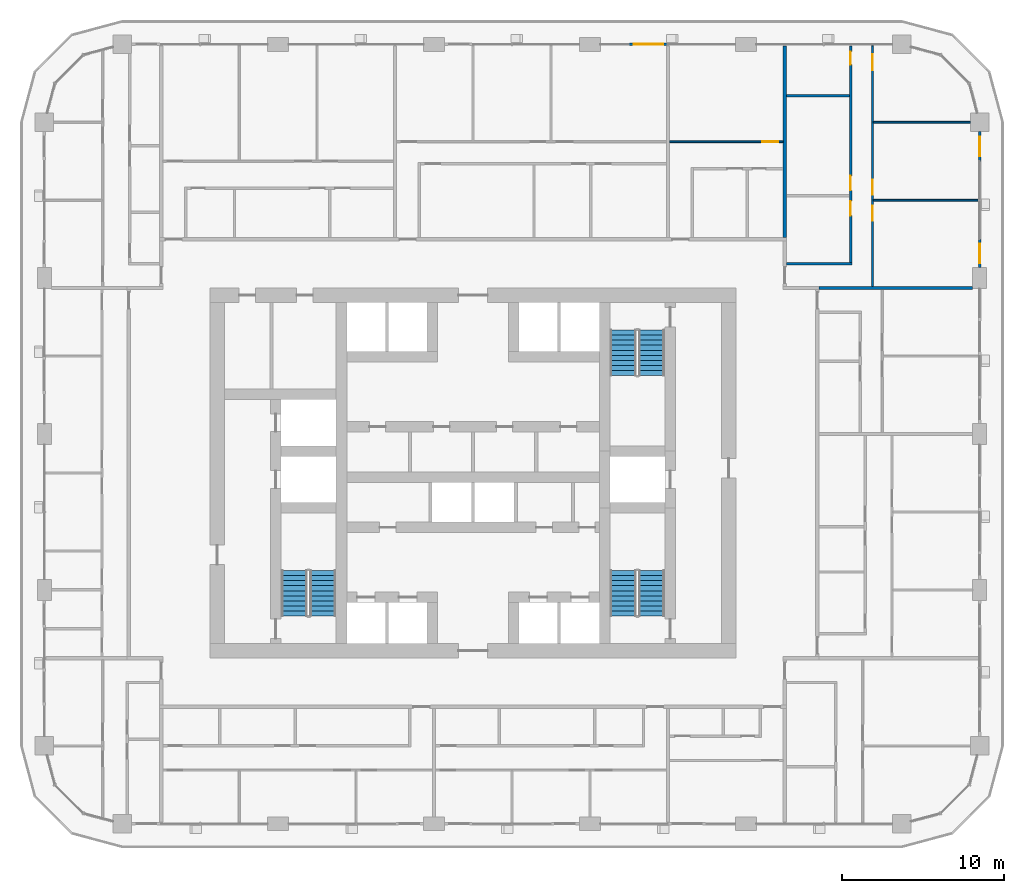
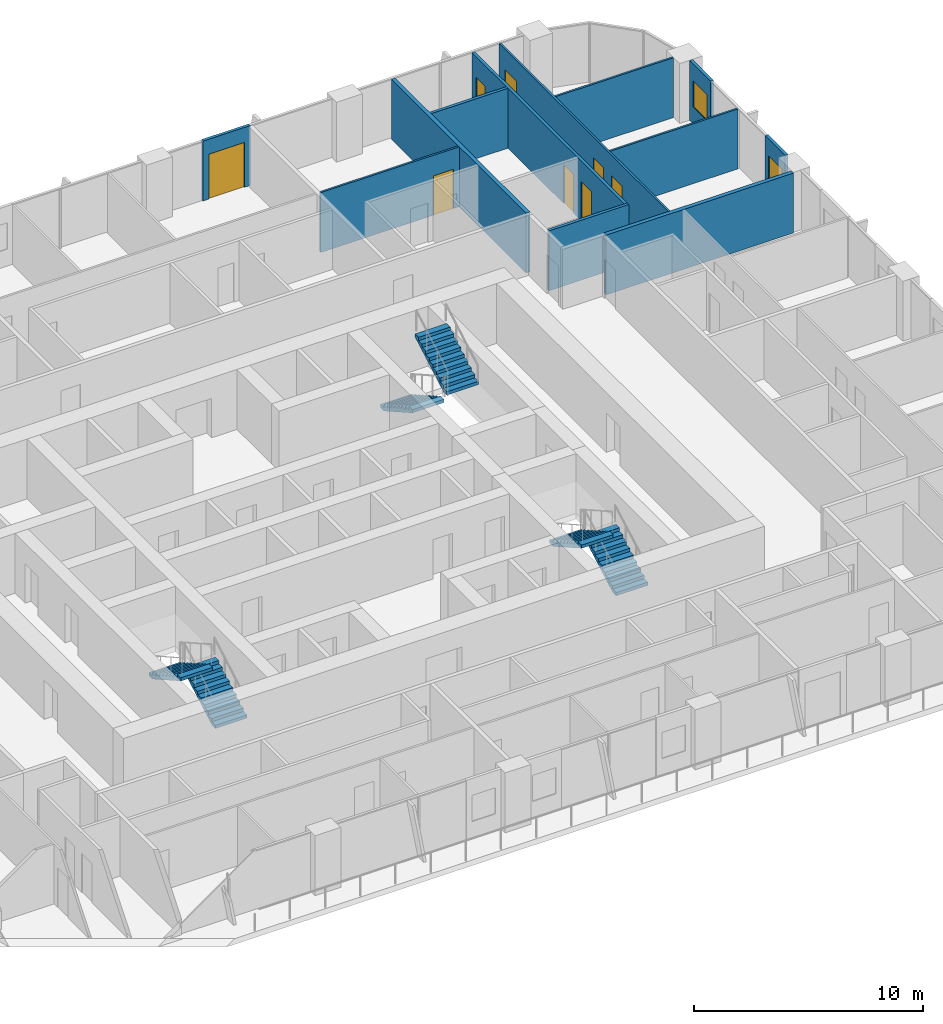
# One storey, part 15 of 21: 12 walls, 8 doors, 6 stair flights, 2 windows, 10 openings, 3 elements without a shape of their own.
"""IFC4 building model written with IfcOpenShell, lengths in metres."""

from ifc_helpers import new_model, si_unit, direction, frame, frame_2d, origin, place, context, subcontext, project, spatial, polyline, rectangle, outline, extrude, material, layer, layer_set, type_object, element, fill, aggregate, save


model = new_model("IFC4")

# Units and contexts
model_context = context("Model", 3, precision=1e-05, world=origin(), true_north=direction((0.0, 1.0)))
body_context = subcontext(model_context, "Body", "Model", "MODEL_VIEW")
ifc_project = project(units=[si_unit("LENGTHUNIT", "METRE"), si_unit("AREAUNIT", "SQUARE_METRE"), si_unit("VOLUMEUNIT", "CUBIC_METRE"), si_unit("PLANEANGLEUNIT", "RADIAN"), si_unit("MASSUNIT", "GRAM", prefix="KILO")], contexts=[model_context])

# Site, building, storey
site_placement = place(None, origin())
site = spatial("IfcSite", under=ifc_project, at=site_placement, CompositionType="ELEMENT")
building_placement = place(site_placement, origin())
building = spatial("IfcBuilding", under=site, at=building_placement, Name="Madar Terraces", CompositionType="ELEMENT")
storey_placement = place(building_placement, frame((0.0, 0.0, 92.699951171875)))
storey = spatial("IfcBuildingStorey", under=building, at=storey_placement, Name="L23", CompositionType="ELEMENT", Elevation=92.699951171875)

# Wall, opening, window
ifc_material_1 = material(Name="Aluminium composite panel, black, over insulated backing", Category="aluminium")
ifc_layer_1 = layer(ifc_material_1, 0.14990234375)
ifc_layer_set_1 = layer_set([ifc_layer_1], Name="Facade bay panel 150")
wall_type_1 = type_object("IfcWallType", Name="Facade bay panel 150", PredefinedType="SOLIDWALL", material=ifc_layer_set_1)
wall_1_placement = place(storey_placement, frame((62.39990234375, 39.050048828125, 0.0), z_axis=(0.0, 0.0, 1.0), x_axis=(0.0, 1.0, 0.0)))
wall_1 = element("IfcWall", 1, at=wall_1_placement, inside=storey, type_object=wall_type_1, Name="Facade bay panel", PredefinedType="SOLIDWALL", context=body_context, shape_type="SweptSolid", body=[
    extrude(rectangle(XDim=1.75, YDim=0.14990234375, at=frame_2d((0.875, 0.0))), origin(), (0.0, 0.0, 1.0), 3.199951171875),
])
opening_1_placement = place(wall_1_placement, frame((0.27490234375, 0.0, 0.89990234375)))
opening_1 = element("IfcOpeningElement", 2, at=opening_1_placement, cuts=wall_1, Name="Opening W1", PredefinedType="OPENING", context=body_context, shape_type="SweptSolid", body=[
    extrude(rectangle(XDim=1.199951171875, YDim=1.39990234375, at=frame_2d((0.60009765625, 0.699951171875))), frame((0.0, 0.0849609375, 0.0), z_axis=(0.0, -1.0, 0.0), x_axis=(1.0, 0.0, 0.0)), (0.0, 0.0, 1.0), 0.169921875),
])
ifc_material_2 = material(Name="Glass, clear, with black aluminium frame", Category="aluminium")
window_type = type_object("IfcWindowType", Name="Vent window 1200 x 1400", PartitioningType="SINGLE_PANEL", PredefinedType="WINDOW", material=ifc_material_2)
window_1_placement = place(opening_1_placement, origin())
window_1 = element("IfcWindow", 3, at=window_1_placement, inside=storey, type_object=window_type, Name="Operable vent window", OverallHeight=1.39990234375, OverallWidth=1.199951171875, PartitioningType="SINGLE_PANEL", PredefinedType="WINDOW", context=body_context, shape_type="SweptSolid", body=[
    extrude(rectangle(XDim=1.199951171875, YDim=1.39990234375, at=frame_2d((0.60009765625, 0.699951171875))), frame((0.0, 0.030029296875, 0.0), z_axis=(0.0, -1.0, 0.0), x_axis=(1.0, 0.0, 0.0)), (0.0, 0.0, 1.0), 0.06005859375),
])
fill(opening_1, window_1)

wall_2_placement = place(storey_placement, frame((62.39990234375, 45.60009765625, 0.0), z_axis=(0.0, 0.0, 1.0), x_axis=(0.0, 1.0, 0.0)))
wall_2 = element("IfcWall", 4, at=wall_2_placement, inside=storey, type_object=wall_type_1, Name="Facade bay panel", PredefinedType="SOLIDWALL", context=body_context, shape_type="SweptSolid", body=[
    extrude(rectangle(XDim=1.824951171875, YDim=0.14990234375, at=frame_2d((0.91259765625, 0.0))), origin(), (0.0, 0.0, 1.0), 3.199951171875),
])
opening_2_placement = place(wall_2_placement, frame((0.3125, 0.0, 0.89990234375)))
opening_2 = element("IfcOpeningElement", 5, at=opening_2_placement, cuts=wall_2, Name="Opening W1", PredefinedType="OPENING", context=body_context, shape_type="SweptSolid", body=[
    extrude(rectangle(XDim=1.199951171875, YDim=1.39990234375, at=frame_2d((0.60009765625, 0.699951171875))), frame((0.0, 0.0849609375, 0.0), z_axis=(0.0, -1.0, 0.0), x_axis=(1.0, 0.0, 0.0)), (0.0, 0.0, 1.0), 0.169921875),
])
window_2_placement = place(opening_2_placement, origin())
window_2 = element("IfcWindow", 6, at=window_2_placement, inside=storey, type_object=window_type, Name="Operable vent window", OverallHeight=1.39990234375, OverallWidth=1.199951171875, PartitioningType="SINGLE_PANEL", PredefinedType="WINDOW", context=body_context, shape_type="SweptSolid", body=[
    extrude(rectangle(XDim=1.199951171875, YDim=1.39990234375, at=frame_2d((0.60009765625, 0.699951171875))), frame((0.0, 0.030029296875, 0.0), z_axis=(0.0, -1.0, 0.0), x_axis=(1.0, 0.0, 0.0)), (0.0, 0.0, 1.0), 0.06005859375),
])
fill(opening_2, window_2)

# Wall, opening, door
wall_3_placement = place(storey_placement, frame((43.199951171875, 52.800048828125, 0.0), z_axis=(0.0, 0.0, 1.0), x_axis=(-1.0, 0.0, 0.0)))
wall_3 = element("IfcWall", 7, at=wall_3_placement, inside=storey, type_object=wall_type_1, Name="Facade bay panel", PredefinedType="SOLIDWALL", context=body_context, shape_type="SweptSolid", body=[
    extrude(rectangle(XDim=2.39990234375, YDim=0.14990234375, at=frame_2d((1.199951171875, 0.0))), origin(), (0.0, 0.0, 1.0), 3.199951171875),
])
opening_3_placement = place(wall_3_placement, frame((0.300048828125, 0.0, 0.0)))
opening_3 = element("IfcOpeningElement", 8, at=opening_3_placement, cuts=wall_3, Name="Opening ED1", PredefinedType="OPENING", context=body_context, shape_type="SweptSolid", body=[
    extrude(rectangle(XDim=1.800048828125, YDim=2.39990234375, at=frame_2d((0.89990234375, 1.199951171875))), frame((0.0, 0.0849609375, 0.0), z_axis=(0.0, -1.0, 0.0), x_axis=(1.0, 0.0, 0.0)), (0.0, 0.0, 1.0), 0.169921875),
])
ifc_material_3 = material(Name="Glass, clear, with black aluminium frame", Category="aluminium")
door_type_1 = type_object("IfcDoorType", Name="Balcony and terrace sliding door 1800 x 2400", OperationType="SLIDING_TO_LEFT", PredefinedType="DOOR", material=ifc_material_3)
door_1_placement = place(opening_3_placement, origin())
door_1 = element("IfcDoor", 9, at=door_1_placement, inside=storey, type_object=door_type_1, Name="Balcony door", OperationType="SLIDING_TO_RIGHT", OverallHeight=2.39990234375, OverallWidth=1.800048828125, PredefinedType="DOOR", context=body_context, shape_type="SweptSolid", body=[
    extrude(rectangle(XDim=1.800048828125, YDim=2.39990234375, at=frame_2d((0.89990234375, 1.199951171875))), frame((0.0, 0.02490234375, 0.0), z_axis=(0.0, -1.0, 0.0), x_axis=(1.0, 0.0, 0.0)), (0.0, 0.0, 1.0), 0.050048828125),
])
fill(opening_3, door_1)

# Walls
ifc_material_4 = material(Name="Gypsum board on steel studs", Category="steel")
ifc_layer_2 = layer(ifc_material_4, 0.10009765625)
ifc_layer_set_2 = layer_set([ifc_layer_2], Name="Flat partition 100")
wall_type_2 = type_object("IfcWallType", Name="Flat partition 100", PredefinedType="PARTITIONING", material=ifc_layer_set_2)
wall_4_placement = place(storey_placement, frame((55.85009765625, 43.199951171875, 0.0), z_axis=(0.0, 0.0, 1.0), x_axis=(1.0, 0.0, 0.0)))
element("IfcWall", 10, at=wall_4_placement, inside=storey, type_object=wall_type_2, Name="Flat partition 100", PredefinedType="PARTITIONING", context=body_context, shape_type="SweptSolid", body=[
    extrude(rectangle(XDim=6.449951171875, YDim=0.10009765625, at=frame_2d((3.22509765625, 0.0))), origin(), (0.0, 0.0, 1.0), 3.199951171875),
])
wall_5_placement = place(storey_placement, frame((55.85009765625, 48.0, 0.0), z_axis=(0.0, 0.0, 1.0), x_axis=(1.0, 0.0, 0.0)))
element("IfcWall", 11, at=wall_5_placement, inside=storey, type_object=wall_type_2, Name="Flat partition 100", PredefinedType="PARTITIONING", context=body_context, shape_type="SweptSolid", body=[
    extrude(rectangle(XDim=5.974853515625, YDim=0.10009765625, at=frame_2d((2.9873046875, 0.0))), origin(), (0.0, 0.0, 1.0), 3.199951171875),
])

# Wall, openings, doors
wall_6_placement = place(storey_placement, frame((55.800048828125, 52.699951171875, 0.0), z_axis=(0.0, 0.0, 1.0), x_axis=(0.0, -1.0, 0.0)))
wall_6 = element("IfcWall", 12, at=wall_6_placement, inside=storey, type_object=wall_type_2, Name="Flat partition 100", PredefinedType="PARTITIONING", context=body_context, shape_type="SweptSolid", body=[
    extrude(rectangle(XDim=14.800048828125, YDim=0.10009765625, at=frame_2d((7.39990234375, 0.0))), origin(), (0.0, 0.0, 1.0), 3.199951171875),
])
opening_4_placement = place(wall_6_placement, frame((9.85009765625, 0.0, 0.0)))
opening_4 = element("IfcOpeningElement", 13, at=opening_4_placement, cuts=wall_6, Name="Opening D2", PredefinedType="OPENING", context=body_context, shape_type="SweptSolid", body=[
    extrude(rectangle(XDim=0.89990234375, YDim=2.10009765625, at=frame_2d((0.449951171875, 1.050048828125))), frame((0.0, 0.06005859375, 0.0), z_axis=(0.0, -1.0, 0.0), x_axis=(1.0, 0.0, 0.0)), (0.0, 0.0, 1.0), 0.1201171875),
])
opening_5_placement = place(wall_6_placement, frame((8.25, 0.0, 0.0)))
opening_5 = element("IfcOpeningElement", 14, at=opening_5_placement, cuts=wall_6, Name="Opening D2", PredefinedType="OPENING", context=body_context, shape_type="SweptSolid", body=[
    extrude(rectangle(XDim=0.89990234375, YDim=2.10009765625, at=frame_2d((0.449951171875, 1.050048828125))), frame((0.0, 0.06005859375, 0.0), z_axis=(0.0, -1.0, 0.0), x_axis=(1.0, 0.0, 0.0)), (0.0, 0.0, 1.0), 0.1201171875),
])
opening_6_placement = place(wall_6_placement, frame((0.5, 0.0, 0.0)))
opening_6 = element("IfcOpeningElement", 15, at=opening_6_placement, cuts=wall_6, Name="Opening D3", PredefinedType="OPENING", context=body_context, shape_type="SweptSolid", body=[
    extrude(rectangle(XDim=1.0, YDim=2.10009765625, at=frame_2d((0.5, 1.050048828125))), frame((0.0, 0.06005859375, 0.0), z_axis=(0.0, -1.0, 0.0), x_axis=(1.0, 0.0, 0.0)), (0.0, 0.0, 1.0), 0.1201171875),
])
ifc_material_5 = material(Name="Timber door leaf", Category="wood")
door_type_2 = type_object("IfcDoorType", Name="Flat living room door 1000", OperationType="NOTDEFINED", PredefinedType="DOOR", material=ifc_material_5)
door_2_placement = place(opening_6_placement, origin())
door_2 = element("IfcDoor", 16, at=door_2_placement, inside=storey, type_object=door_type_2, Name="Flat living room door 1000", OperationType="SINGLE_SWING_LEFT", OverallHeight=2.10009765625, OverallWidth=1.0, PredefinedType="DOOR", context=body_context, shape_type="SweptSolid", body=[
    extrude(rectangle(XDim=1.0, YDim=2.10009765625, at=frame_2d((0.5, 1.050048828125))), frame((0.0, 0.02490234375, 0.0), z_axis=(0.0, -1.0, 0.0), x_axis=(1.0, 0.0, 0.0)), (0.0, 0.0, 1.0), 0.050048828125),
])
fill(opening_6, door_2)
ifc_material_6 = material(Name="Timber door leaf", Category="wood")
door_type_3 = type_object("IfcDoorType", Name="Flat room door 900", OperationType="NOTDEFINED", PredefinedType="DOOR", material=ifc_material_6)
door_3_placement = place(opening_4_placement, origin())
door_3 = element("IfcDoor", 17, at=door_3_placement, inside=storey, type_object=door_type_3, Name="Flat room door 900", OperationType="SINGLE_SWING_LEFT", OverallHeight=2.10009765625, OverallWidth=0.89990234375, PredefinedType="DOOR", context=body_context, shape_type="SweptSolid", body=[
    extrude(rectangle(XDim=0.89990234375, YDim=2.10009765625, at=frame_2d((0.449951171875, 1.050048828125))), frame((0.0, 0.02490234375, 0.0), z_axis=(0.0, -1.0, 0.0), x_axis=(1.0, 0.0, 0.0)), (0.0, 0.0, 1.0), 0.050048828125),
])
fill(opening_4, door_3)
door_4_placement = place(opening_5_placement, origin())
door_4 = element("IfcDoor", 18, at=door_4_placement, inside=storey, type_object=door_type_3, Name="Flat room door 900", OperationType="SINGLE_SWING_RIGHT", OverallHeight=2.10009765625, OverallWidth=0.89990234375, PredefinedType="DOOR", context=body_context, shape_type="SweptSolid", body=[
    extrude(rectangle(XDim=0.89990234375, YDim=2.10009765625, at=frame_2d((0.449951171875, 1.050048828125))), frame((0.0, 0.02490234375, 0.0), z_axis=(0.0, -1.0, 0.0), x_axis=(1.0, 0.0, 0.0)), (0.0, 0.0, 1.0), 0.050048828125),
])
fill(opening_5, door_4)

# Wall, opening, door
wall_7_placement = place(storey_placement, frame((43.300048828125, 46.800048828125, 0.0), z_axis=(0.0, 0.0, 1.0), x_axis=(1.0, 0.0, 0.0)))
wall_7 = element("IfcWall", 19, at=wall_7_placement, inside=storey, type_object=wall_type_2, Name="Flat partition 100", PredefinedType="PARTITIONING", context=body_context, shape_type="SweptSolid", body=[
    extrude(rectangle(XDim=7.0, YDim=0.10009765625, at=frame_2d((3.5, 0.0))), origin(), (0.0, 0.0, 1.0), 3.199951171875),
])
opening_7_placement = place(wall_7_placement, frame((5.699951171875, 0.0, 0.0)))
opening_7 = element("IfcOpeningElement", 20, at=opening_7_placement, cuts=wall_7, Name="Opening D3", PredefinedType="OPENING", context=body_context, shape_type="SweptSolid", body=[
    extrude(rectangle(XDim=1.0, YDim=2.10009765625, at=frame_2d((0.5, 1.050048828125))), frame((0.0, 0.06005859375, 0.0), z_axis=(0.0, -1.0, 0.0), x_axis=(1.0, 0.0, 0.0)), (0.0, 0.0, 1.0), 0.1201171875),
])
door_5_placement = place(opening_7_placement, origin())
door_5 = element("IfcDoor", 21, at=door_5_placement, inside=storey, type_object=door_type_2, Name="Flat living room door 1000", OperationType="SINGLE_SWING_RIGHT", OverallHeight=2.10009765625, OverallWidth=1.0, PredefinedType="DOOR", context=body_context, shape_type="SweptSolid", body=[
    extrude(rectangle(XDim=1.0, YDim=2.10009765625, at=frame_2d((0.5, 1.050048828125))), frame((0.0, 0.02490234375, 0.0), z_axis=(0.0, -1.0, 0.0), x_axis=(1.0, 0.0, 0.0)), (0.0, 0.0, 1.0), 0.050048828125),
])
fill(opening_7, door_5)

# Walls
ifc_material_7 = material(Name="Lightweight blockwork", Category="masonry")
ifc_layer_3 = layer(ifc_material_7, 0.199951171875)
ifc_layer_set_3 = layer_set([ifc_layer_3], Name="Flat party and entrance wall 200")
wall_type_3 = type_object("IfcWallType", Name="Flat party and entrance wall 200", PredefinedType="PARTITIONING", material=ifc_layer_set_3)
wall_8_placement = place(storey_placement, frame((52.5, 37.800048828125, 0.0), z_axis=(0.0, 0.0, 1.0), x_axis=(1.0, 0.0, 0.0)))
element("IfcWall", 22, at=wall_8_placement, inside=storey, type_object=wall_type_3, Name="Flat party and entrance wall 200", PredefinedType="PARTITIONING", context=body_context, shape_type="SweptSolid", body=[
    extrude(rectangle(XDim=9.47509765625, YDim=0.199951171875, at=frame_2d((4.737548828125, 0.0))), origin(), (0.0, 0.0, 1.0), 3.199951171875),
])
wall_9_placement = place(storey_placement, frame((50.39990234375, 40.89990234375, 0.0), z_axis=(0.0, 0.0, 1.0), x_axis=(0.0, 1.0, 0.0)))
element("IfcWall", 23, at=wall_9_placement, inside=storey, type_object=wall_type_3, Name="Flat party and entrance wall 200", PredefinedType="PARTITIONING", context=body_context, shape_type="SweptSolid", body=[
    extrude(rectangle(XDim=11.800048828125, YDim=0.199951171875, at=frame_2d((5.89990234375, 0.0))), origin(), (0.0, 0.0, 1.0), 3.199951171875),
])
ifc_material_8 = material(Name="Lightweight blockwork", Category="masonry")
ifc_layer_4 = layer(ifc_material_8, 0.14990234375)
ifc_layer_set_4 = layer_set([ifc_layer_4], Name="Flat wet-room partition 150")
wall_type_4 = type_object("IfcWallType", Name="Flat wet-room partition 150", PredefinedType="PARTITIONING", material=ifc_layer_set_4)
wall_10_placement = place(storey_placement, frame((50.5, 49.625, 0.0), z_axis=(0.0, 0.0, 1.0), x_axis=(1.0, 0.0, 0.0)))
element("IfcWall", 24, at=wall_10_placement, inside=storey, type_object=wall_type_4, Name="Flat wet-room partition 150", PredefinedType="PARTITIONING", context=body_context, shape_type="SweptSolid", body=[
    extrude(rectangle(XDim=3.875, YDim=0.14990234375, at=frame_2d((1.9375, 0.0))), origin(), (0.0, 0.0, 1.0), 3.199951171875),
])
wall_11_placement = place(storey_placement, frame((50.5, 39.300048828125, 0.0), z_axis=(0.0, 0.0, 1.0), x_axis=(1.0, 0.0, 0.0)))
element("IfcWall", 25, at=wall_11_placement, inside=storey, type_object=wall_type_4, Name="Flat wet-room partition 150", PredefinedType="PARTITIONING", context=body_context, shape_type="SweptSolid", body=[
    extrude(rectangle(XDim=4.02490234375, YDim=0.14990234375, at=frame_2d((2.012451171875, 0.0))), origin(), (0.0, 0.0, 1.0), 3.199951171875),
])

# Wall, openings, doors
wall_12_placement = place(storey_placement, frame((54.449951171875, 39.375, 0.0), z_axis=(0.0, 0.0, 1.0), x_axis=(0.0, 1.0, 0.0)))
wall_12 = element("IfcWall", 26, at=wall_12_placement, inside=storey, type_object=wall_type_4, Name="Flat wet-room partition 150", PredefinedType="PARTITIONING", context=body_context, shape_type="SweptSolid", body=[
    extrude(rectangle(XDim=13.324951171875, YDim=0.14990234375, at=frame_2d((6.66259765625, 0.0))), origin(), (0.0, 0.0, 1.0), 3.199951171875),
])
opening_8_placement = place(wall_12_placement, frame((2.875, 0.0, 0.0)))
opening_8 = element("IfcOpeningElement", 27, at=opening_8_placement, cuts=wall_12, Name="Opening D5", PredefinedType="OPENING", context=body_context, shape_type="SweptSolid", body=[
    extrude(rectangle(XDim=0.89990234375, YDim=2.10009765625, at=frame_2d((0.449951171875, 1.050048828125))), frame((0.0, 0.0849609375, 0.0), z_axis=(0.0, -1.0, 0.0), x_axis=(1.0, 0.0, 0.0)), (0.0, 0.0, 1.0), 0.169921875),
])
opening_9_placement = place(wall_12_placement, frame((4.425048828125, 0.0, 0.0)))
opening_9 = element("IfcOpeningElement", 28, at=opening_9_placement, cuts=wall_12, Name="Opening D2", PredefinedType="OPENING", context=body_context, shape_type="SweptSolid", body=[
    extrude(rectangle(XDim=0.89990234375, YDim=2.10009765625, at=frame_2d((0.449951171875, 1.050048828125))), frame((0.0, 0.0849609375, 0.0), z_axis=(0.0, -1.0, 0.0), x_axis=(1.0, 0.0, 0.0)), (0.0, 0.0, 1.0), 0.169921875),
])
opening_10_placement = place(wall_12_placement, frame((12.175048828125, 0.0, 0.0)))
opening_10 = element("IfcOpeningElement", 29, at=opening_10_placement, cuts=wall_12, Name="Opening D4", PredefinedType="OPENING", context=body_context, shape_type="SweptSolid", body=[
    extrude(rectangle(XDim=0.800048828125, YDim=2.10009765625, at=frame_2d((0.39990234375, 1.050048828125))), frame((0.0, 0.0849609375, 0.0), z_axis=(0.0, -1.0, 0.0), x_axis=(1.0, 0.0, 0.0)), (0.0, 0.0, 1.0), 0.169921875),
])
ifc_material_9 = material(Name="Timber door leaf", Category="wood")
door_type_4 = type_object("IfcDoorType", Name="Flat accessible bathroom door 900", OperationType="NOTDEFINED", PredefinedType="DOOR", material=ifc_material_9)
door_6_placement = place(opening_8_placement, origin())
door_6 = element("IfcDoor", 30, at=door_6_placement, inside=storey, type_object=door_type_4, Name="Flat accessible bathroom door 900", OperationType="SINGLE_SWING_RIGHT", OverallHeight=2.10009765625, OverallWidth=0.89990234375, PredefinedType="DOOR", context=body_context, shape_type="SweptSolid", body=[
    extrude(rectangle(XDim=0.89990234375, YDim=2.10009765625, at=frame_2d((0.449951171875, 1.050048828125))), frame((0.0, 0.02490234375, 0.0), z_axis=(0.0, -1.0, 0.0), x_axis=(1.0, 0.0, 0.0)), (0.0, 0.0, 1.0), 0.050048828125),
])
fill(opening_8, door_6)
ifc_material_10 = material(Name="Timber door leaf", Category="wood")
door_type_5 = type_object("IfcDoorType", Name="Flat bathroom door 800", OperationType="NOTDEFINED", PredefinedType="DOOR", material=ifc_material_10)
door_7_placement = place(opening_10_placement, origin())
door_7 = element("IfcDoor", 31, at=door_7_placement, inside=storey, type_object=door_type_5, Name="Flat bathroom door 800", OperationType="SINGLE_SWING_RIGHT", OverallHeight=2.10009765625, OverallWidth=0.800048828125, PredefinedType="DOOR", context=body_context, shape_type="SweptSolid", body=[
    extrude(rectangle(XDim=0.800048828125, YDim=2.10009765625, at=frame_2d((0.39990234375, 1.050048828125))), frame((0.0, 0.02490234375, 0.0), z_axis=(0.0, -1.0, 0.0), x_axis=(1.0, 0.0, 0.0)), (0.0, 0.0, 1.0), 0.050048828125),
])
fill(opening_10, door_7)
door_8_placement = place(opening_9_placement, origin())
door_8 = element("IfcDoor", 32, at=door_8_placement, inside=storey, type_object=door_type_3, Name="Flat room door 900", OperationType="SINGLE_SWING_LEFT", OverallHeight=2.10009765625, OverallWidth=0.89990234375, PredefinedType="DOOR", context=body_context, shape_type="SweptSolid", body=[
    extrude(rectangle(XDim=0.89990234375, YDim=2.10009765625, at=frame_2d((0.449951171875, 1.050048828125))), frame((0.0, 0.02490234375, 0.0), z_axis=(0.0, -1.0, 0.0), x_axis=(1.0, 0.0, 0.0)), (0.0, 0.0, 1.0), 0.050048828125),
])
fill(opening_9, door_8)

# Stair, stair flights
ifc_material_11 = material(Name="Concrete C50/60", Category="concrete")
stair_type_1 = type_object("IfcStairType", Name="Stair ST1 protected exit", PredefinedType="HALF_TURN_STAIR", material=ifc_material_11)
stair_1_placement = place(storey_placement, origin())
stair_1 = element("IfcStair", 33, at=stair_1_placement, inside=storey, type_object=stair_type_1, Name="L23 Protected Exit Stair ST1", PredefinedType="HALF_TURN_STAIR")
ifc_material_12 = material(Name="Concrete C50/60", Category="concrete")
stair_flight_type_1 = type_object("IfcStairFlightType", Name="Stair flight ST1-F4, 1600 wide, 10 risers", PredefinedType="STRAIGHT", material=ifc_material_12)
stair_flight_1_placement = place(storey_placement, frame((21.949951171875, 17.60009765625, 0.0), z_axis=(0.0, 0.0, 1.0), x_axis=(0.0, 1.0, 0.0)))
stair_flight_1 = element("IfcStairFlight", 34, at=stair_flight_1_placement, type_object=stair_flight_type_1, Name="ST1 flight 1", NumberOfRisers=10, NumberOfTreads=9, PredefinedType="STRAIGHT", RiserHeight=0.175, TreadLength=0.31, context=body_context, shape_type="SweptSolid", body=[
    extrude(outline(polyline([(0.0, 0.0), (0.0, 0.175048828125), (0.31005859375, 0.175048828125), (0.31005859375, 0.35009765625), (0.6201171875, 0.35009765625), (0.6201171875, 0.52490234375), (0.929931640625, 0.52490234375), (0.929931640625, 0.699951171875), (1.239990234375, 0.699951171875), (1.239990234375, 0.875), (1.550048828125, 0.875), (1.550048828125, 1.050048828125), (1.860107421875, 1.050048828125), (1.860107421875, 1.22509765625), (2.169921875, 1.22509765625), (2.169921875, 1.39990234375), (2.47998046875, 1.39990234375), (2.47998046875, 1.574951171875), (2.7900390625, 1.574951171875), (2.7900390625, 1.75), (2.7900390625, 1.40283203125), (0.304931640625, 0.0), (0.0, 0.0)])), frame((0.0, 0.800048828125, 0.0), z_axis=(0.0, -1.0, 0.0), x_axis=(1.0, 0.0, 0.0)), (0.0, 0.0, 1.0), 1.60009765625),
])
stair_flight_2_placement = place(storey_placement, frame((20.199951171875, 20.389892578125, 1.75), z_axis=(0.0, 0.0, 1.0), x_axis=(0.0, -1.0, 0.0)))
stair_flight_2 = element("IfcStairFlight", 35, at=stair_flight_2_placement, type_object=stair_flight_type_1, Name="ST1 flight 2", NumberOfRisers=10, NumberOfTreads=9, PredefinedType="STRAIGHT", RiserHeight=0.175, TreadLength=0.31, context=body_context, shape_type="SweptSolid", body=[
    extrude(outline(polyline([(0.0, 0.0), (0.0, 0.175048828125), (0.31005859375, 0.175048828125), (0.31005859375, 0.35009765625), (0.6201171875, 0.35009765625), (0.6201171875, 0.52490234375), (0.929931640625, 0.52490234375), (0.929931640625, 0.699951171875), (1.239990234375, 0.699951171875), (1.239990234375, 0.875), (1.550048828125, 0.875), (1.550048828125, 1.050048828125), (1.860107421875, 1.050048828125), (1.860107421875, 1.22509765625), (2.169921875, 1.22509765625), (2.169921875, 1.39990234375), (2.47998046875, 1.39990234375), (2.47998046875, 1.574951171875), (2.7900390625, 1.574951171875), (2.7900390625, 1.75), (2.7900390625, 1.40283203125), (0.304931640625, 0.0), (0.0, 0.0)])), frame((0.0, 0.800048828125, 0.0), z_axis=(0.0, -1.0, 0.0), x_axis=(1.0, 0.0, 0.0)), (0.0, 0.0, 1.0), 1.60009765625),
])
aggregate(stair_1, [stair_flight_1, stair_flight_2])

ifc_material_13 = material(Name="Concrete C50/60", Category="concrete")
stair_type_2 = type_object("IfcStairType", Name="Stair ST2 protected exit", PredefinedType="HALF_TURN_STAIR", material=ifc_material_13)
stair_2_placement = place(storey_placement, origin())
stair_2 = element("IfcStair", 36, at=stair_2_placement, inside=storey, type_object=stair_type_2, Name="L23 Protected Exit Stair ST2", PredefinedType="HALF_TURN_STAIR")
ifc_material_14 = material(Name="Concrete C50/60", Category="concrete")
stair_flight_type_2 = type_object("IfcStairFlightType", Name="Stair flight ST2-F4, 1600 wide, 10 risers", PredefinedType="STRAIGHT", material=ifc_material_14)
stair_flight_3_placement = place(storey_placement, frame((40.449951171875, 35.199951171875, 0.0), z_axis=(0.0, 0.0, 1.0), x_axis=(0.0, -1.0, 0.0)))
stair_flight_3 = element("IfcStairFlight", 37, at=stair_flight_3_placement, type_object=stair_flight_type_2, Name="ST2 flight 1", NumberOfRisers=10, NumberOfTreads=9, PredefinedType="STRAIGHT", RiserHeight=0.175, TreadLength=0.31, context=body_context, shape_type="SweptSolid", body=[
    extrude(outline(polyline([(0.0, 0.0), (0.0, 0.175048828125), (0.31005859375, 0.175048828125), (0.31005859375, 0.35009765625), (0.6201171875, 0.35009765625), (0.6201171875, 0.52490234375), (0.929931640625, 0.52490234375), (0.929931640625, 0.699951171875), (1.239990234375, 0.699951171875), (1.239990234375, 0.875), (1.550048828125, 0.875), (1.550048828125, 1.050048828125), (1.860107421875, 1.050048828125), (1.860107421875, 1.22509765625), (2.169921875, 1.22509765625), (2.169921875, 1.39990234375), (2.47998046875, 1.39990234375), (2.47998046875, 1.574951171875), (2.7900390625, 1.574951171875), (2.7900390625, 1.75), (2.7900390625, 1.40283203125), (0.304931640625, 0.0), (0.0, 0.0)])), frame((0.0, 0.800048828125, 0.0), z_axis=(0.0, -1.0, 0.0), x_axis=(1.0, 0.0, 0.0)), (0.0, 0.0, 1.0), 1.60009765625),
])
stair_flight_4_placement = place(storey_placement, frame((42.199951171875, 32.409912109375, 1.75), z_axis=(0.0, 0.0, 1.0), x_axis=(0.0, 1.0, 0.0)))
stair_flight_4 = element("IfcStairFlight", 38, at=stair_flight_4_placement, type_object=stair_flight_type_2, Name="ST2 flight 2", NumberOfRisers=10, NumberOfTreads=9, PredefinedType="STRAIGHT", RiserHeight=0.175, TreadLength=0.31, context=body_context, shape_type="SweptSolid", body=[
    extrude(outline(polyline([(0.0, 0.0), (0.0, 0.175048828125), (0.31005859375, 0.175048828125), (0.31005859375, 0.35009765625), (0.6201171875, 0.35009765625), (0.6201171875, 0.52490234375), (0.929931640625, 0.52490234375), (0.929931640625, 0.699951171875), (1.239990234375, 0.699951171875), (1.239990234375, 0.875), (1.550048828125, 0.875), (1.550048828125, 1.050048828125), (1.860107421875, 1.050048828125), (1.860107421875, 1.22509765625), (2.169921875, 1.22509765625), (2.169921875, 1.39990234375), (2.47998046875, 1.39990234375), (2.47998046875, 1.574951171875), (2.7900390625, 1.574951171875), (2.7900390625, 1.75), (2.7900390625, 1.40283203125), (0.304931640625, 0.0), (0.0, 0.0)])), frame((0.0, 0.800048828125, 0.0), z_axis=(0.0, -1.0, 0.0), x_axis=(1.0, 0.0, 0.0)), (0.0, 0.0, 1.0), 1.60009765625),
])
aggregate(stair_2, [stair_flight_3, stair_flight_4])

ifc_material_15 = material(Name="Concrete C50/60", Category="concrete")
stair_type_3 = type_object("IfcStairType", Name="Stair ST3 protected exit", PredefinedType="HALF_TURN_STAIR", material=ifc_material_15)
stair_3_placement = place(storey_placement, origin())
stair_3 = element("IfcStair", 39, at=stair_3_placement, inside=storey, type_object=stair_type_3, Name="L23 Protected Exit Stair ST3", PredefinedType="HALF_TURN_STAIR")
ifc_material_16 = material(Name="Concrete C50/60", Category="concrete")
stair_flight_type_3 = type_object("IfcStairFlightType", Name="Stair flight ST3-F4, 1600 wide, 10 risers", PredefinedType="STRAIGHT", material=ifc_material_16)
stair_flight_5_placement = place(storey_placement, frame((42.199951171875, 17.60009765625, 0.0), z_axis=(0.0, 0.0, 1.0), x_axis=(0.0, 1.0, 0.0)))
stair_flight_5 = element("IfcStairFlight", 40, at=stair_flight_5_placement, type_object=stair_flight_type_3, Name="ST3 flight 1", NumberOfRisers=10, NumberOfTreads=9, PredefinedType="STRAIGHT", RiserHeight=0.175, TreadLength=0.31, context=body_context, shape_type="SweptSolid", body=[
    extrude(outline(polyline([(0.0, 0.0), (0.0, 0.175048828125), (0.31005859375, 0.175048828125), (0.31005859375, 0.35009765625), (0.6201171875, 0.35009765625), (0.6201171875, 0.52490234375), (0.929931640625, 0.52490234375), (0.929931640625, 0.699951171875), (1.239990234375, 0.699951171875), (1.239990234375, 0.875), (1.550048828125, 0.875), (1.550048828125, 1.050048828125), (1.860107421875, 1.050048828125), (1.860107421875, 1.22509765625), (2.169921875, 1.22509765625), (2.169921875, 1.39990234375), (2.47998046875, 1.39990234375), (2.47998046875, 1.574951171875), (2.7900390625, 1.574951171875), (2.7900390625, 1.75), (2.7900390625, 1.40283203125), (0.304931640625, 0.0), (0.0, 0.0)])), frame((0.0, 0.800048828125, 0.0), z_axis=(0.0, -1.0, 0.0), x_axis=(1.0, 0.0, 0.0)), (0.0, 0.0, 1.0), 1.60009765625),
])
stair_flight_6_placement = place(storey_placement, frame((40.449951171875, 20.389892578125, 1.75), z_axis=(0.0, 0.0, 1.0), x_axis=(0.0, -1.0, 0.0)))
stair_flight_6 = element("IfcStairFlight", 41, at=stair_flight_6_placement, type_object=stair_flight_type_3, Name="ST3 flight 2", NumberOfRisers=10, NumberOfTreads=9, PredefinedType="STRAIGHT", RiserHeight=0.175, TreadLength=0.31, context=body_context, shape_type="SweptSolid", body=[
    extrude(outline(polyline([(0.0, 0.0), (0.0, 0.175048828125), (0.31005859375, 0.175048828125), (0.31005859375, 0.35009765625), (0.6201171875, 0.35009765625), (0.6201171875, 0.52490234375), (0.929931640625, 0.52490234375), (0.929931640625, 0.699951171875), (1.239990234375, 0.699951171875), (1.239990234375, 0.875), (1.550048828125, 0.875), (1.550048828125, 1.050048828125), (1.860107421875, 1.050048828125), (1.860107421875, 1.22509765625), (2.169921875, 1.22509765625), (2.169921875, 1.39990234375), (2.47998046875, 1.39990234375), (2.47998046875, 1.574951171875), (2.7900390625, 1.574951171875), (2.7900390625, 1.75), (2.7900390625, 1.40283203125), (0.304931640625, 0.0), (0.0, 0.0)])), frame((0.0, 0.800048828125, 0.0), z_axis=(0.0, -1.0, 0.0), x_axis=(1.0, 0.0, 0.0)), (0.0, 0.0, 1.0), 1.60009765625),
])
aggregate(stair_3, [stair_flight_5, stair_flight_6])

save(model, "model.ifc")
